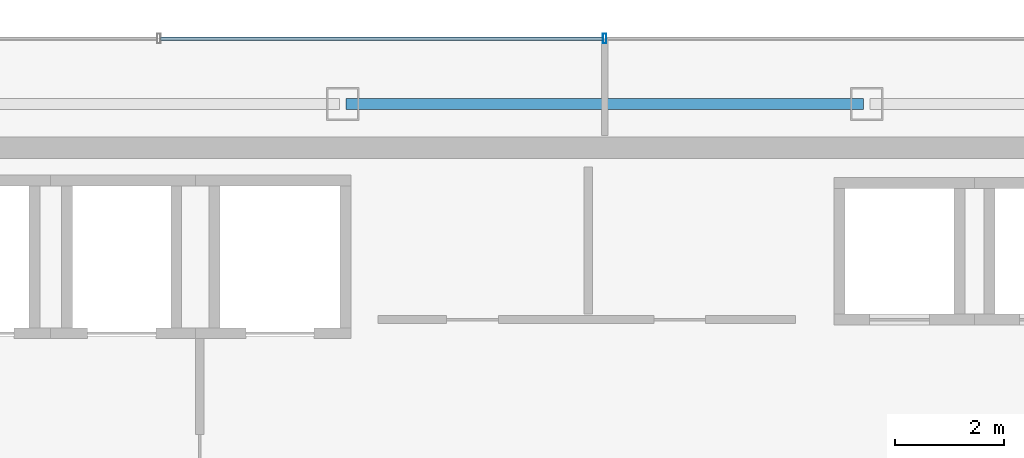
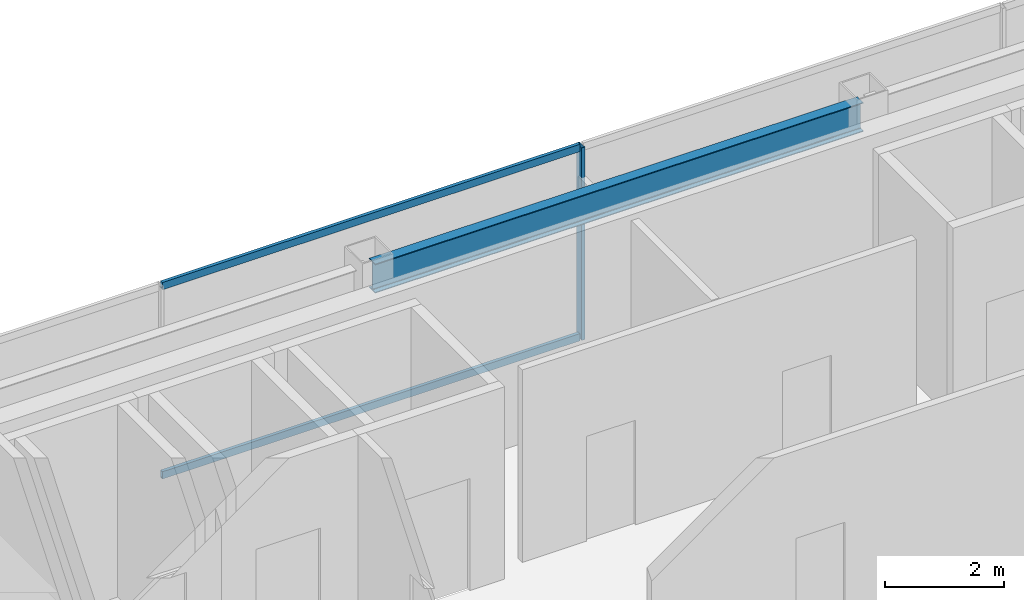
# One storey, part 8 of 20: 3 members, 1 beam, 1 element without a shape of its own.
"""IFC4 building model written with IfcOpenShell, lengths in metres."""

from ifc_helpers import new_model, si_unit, direction, frame, origin, origin_2d, place, context, subcontext, project, spatial, hollow_rectangle, i_section, extrude, material, material_profile, profile_set, type_object, element, aggregate, save


model = new_model("IFC4")

# Units and contexts
model_context = context("Model", 3, precision=1e-05, world=origin(), true_north=direction((0.0, 1.0)))
body_context = subcontext(model_context, "Body", "Model", "MODEL_VIEW")
ifc_project = project(units=[si_unit("LENGTHUNIT", "METRE"), si_unit("AREAUNIT", "SQUARE_METRE"), si_unit("VOLUMEUNIT", "CUBIC_METRE"), si_unit("PLANEANGLEUNIT", "RADIAN"), si_unit("MASSUNIT", "GRAM", prefix="KILO")], contexts=[model_context])

# Site, building, storey
site_placement = place(None, origin())
site = spatial("IfcSite", under=ifc_project, at=site_placement, CompositionType="ELEMENT")
building_placement = place(site_placement, origin())
building = spatial("IfcBuilding", under=site, at=building_placement, Name="Saevonmaru Cultural Tower", CompositionType="ELEMENT")
storey_placement = place(building_placement, frame((0.0, 0.0, 319.199951171875)))
storey = spatial("IfcBuildingStorey", under=building, at=storey_placement, Name="L76", CompositionType="ELEMENT", Elevation=319.199951171875)

# Beam
ifc_material_1 = material(Name="Steel SM355", Category="steel")
ifc_material_profile_1 = material_profile(ifc_material_1, i_section(OverallWidth=0.199951171875, OverallDepth=0.60009765625, WebThickness=0.010986328125, FlangeThickness=0.01708984375, FilletRadius=0.02197265625, at=origin_2d()), Name="H-600x200x11x17")
ifc_profile_set_1 = profile_set([ifc_material_profile_1], Name="Steel SM355")
beam_type = type_object("IfcBeamType", Name="BM-SP-H600", PredefinedType="SPANDREL", material=ifc_profile_set_1)
beam_placement = place(storey_placement, frame((25.260009765625, 54.800048828125, 3.650146484375), z_axis=(1.0, 0.0, 0.0), x_axis=(0.0, 1.0, 0.0)))
element("IfcBeam", 1, at=beam_placement, inside=storey, type_object=beam_type, Name="L76 North Spine Girder 3", PredefinedType="SPANDREL", context=body_context, shape_type="SweptSolid", body=[
    extrude(i_section(OverallWidth=0.199951171875, OverallDepth=0.60009765625, WebThickness=0.010986328125, FlangeThickness=0.01708984375, FilletRadius=0.02197265625, at=origin_2d()), origin(), (0.0, 0.0, 1.0), 9.47998046875),
])

# Curtain wall, members
ifc_material_2 = material(Name="Satin Bronze Anodised Aluminium", Category="aluminium")
curtain_wall_type = type_object("IfcCurtainWallType", Name="CW-SKY-GLZ", PredefinedType="NOTDEFINED", material=ifc_material_2)
curtain_wall_placement = place(storey_placement, origin())
curtain_wall = element("IfcCurtainWall", 2, at=curtain_wall_placement, inside=storey, type_object=curtain_wall_type, Name="L76 North Spine Unitised Curtain Wall E10B", PredefinedType="NOTDEFINED")
ifc_material_profile_2 = material_profile(ifc_material_2, hollow_rectangle(XDim=0.06494140625, YDim=0.179931640625, WallThickness=0.00390625, at=origin_2d()), Name="ALU-MULL-180x65x4")
ifc_profile_set_2 = profile_set([ifc_material_profile_2], Name="Satin Bronze Anodised Aluminium")
member_type_1 = type_object("IfcMemberType", Name="ML-CW-180x65", PredefinedType="MULLION", material=ifc_profile_set_2)
member_1_placement = place(storey_placement, frame((30.0, 56.0, 0.0), z_axis=(0.0, 0.0, 1.0), x_axis=(-1.0, 0.0, 0.0)))
member_1 = element("IfcMember", 3, at=member_1_placement, type_object=member_type_1, Name="CW-TW-L76-E10B mullion 3", PredefinedType="MULLION", context=body_context, shape_type="SweptSolid", body=[
    extrude(hollow_rectangle(XDim=0.06494140625, YDim=0.179931640625, WallThickness=0.00390625, at=origin_2d()), origin(), (0.0, 0.0, 1.0), 3.949951171875),
])
ifc_material_profile_3 = material_profile(ifc_material_2, hollow_rectangle(XDim=0.06494140625, YDim=0.14990234375, WallThickness=0.00390625, at=origin_2d()), Name="ALU-TRAN-150x65x4")
ifc_profile_set_3 = profile_set([ifc_material_profile_3], Name="Satin Bronze Anodised Aluminium")
member_type_2 = type_object("IfcMemberType", Name="TR-CW-150x65", PredefinedType="USERDEFINED", material=ifc_profile_set_3)
member_2_placement = place(storey_placement, frame((29.967529296875, 56.0, 0.032470703125), z_axis=(-1.0, 0.0, 0.0), x_axis=(0.0, -1.0, 0.0)))
member_2 = element("IfcMember", 4, at=member_2_placement, type_object=member_type_2, Name="CW-TW-L76-E10B transom 3.1", ObjectType="TRANSOM", PredefinedType="USERDEFINED", context=body_context, shape_type="SweptSolid", body=[
    extrude(hollow_rectangle(XDim=0.06494140625, YDim=0.14990234375, WallThickness=0.00390625, at=origin_2d()), origin(), (0.0, 0.0, 1.0), 8.10498046875),
])
member_3_placement = place(storey_placement, frame((29.967529296875, 56.0, 3.91748046875), z_axis=(-1.0, 0.0, 0.0), x_axis=(0.0, -1.0, 0.0)))
member_3 = element("IfcMember", 5, at=member_3_placement, type_object=member_type_2, Name="CW-TW-L76-E10B transom 3.2", ObjectType="TRANSOM", PredefinedType="USERDEFINED", context=body_context, shape_type="SweptSolid", body=[
    extrude(hollow_rectangle(XDim=0.06494140625, YDim=0.14990234375, WallThickness=0.00390625, at=origin_2d()), origin(), (0.0, 0.0, 1.0), 8.10498046875),
])
aggregate(curtain_wall, [member_1, member_2, member_3])

save(model, "model.ifc")
